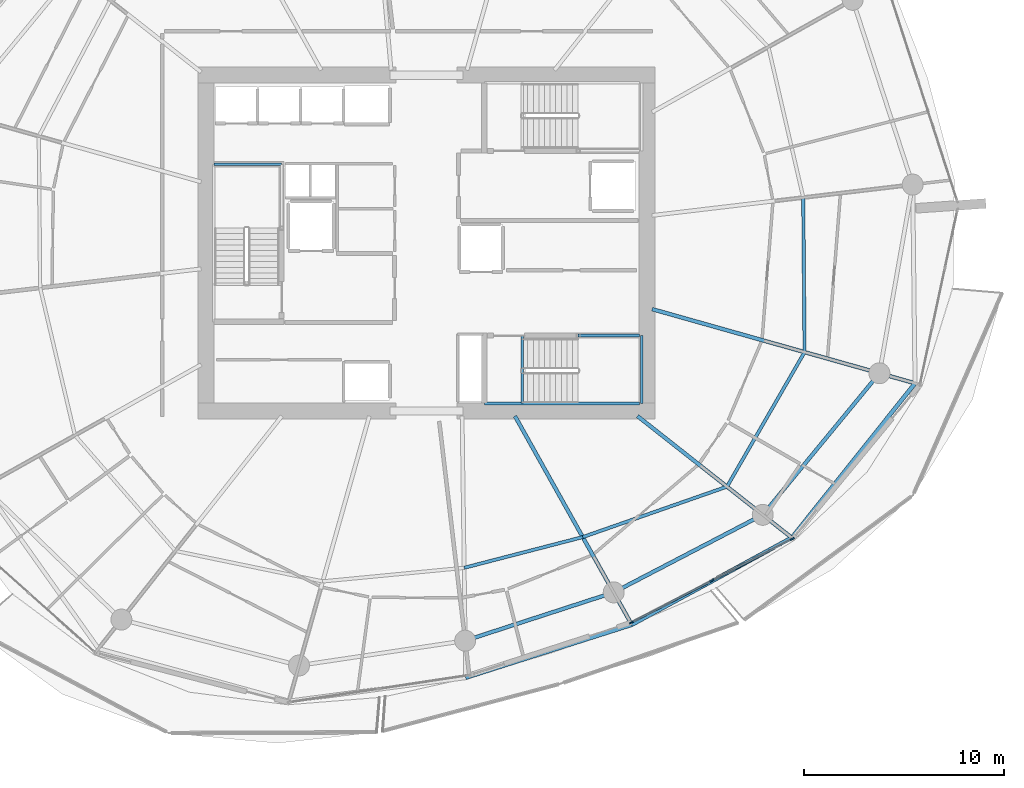
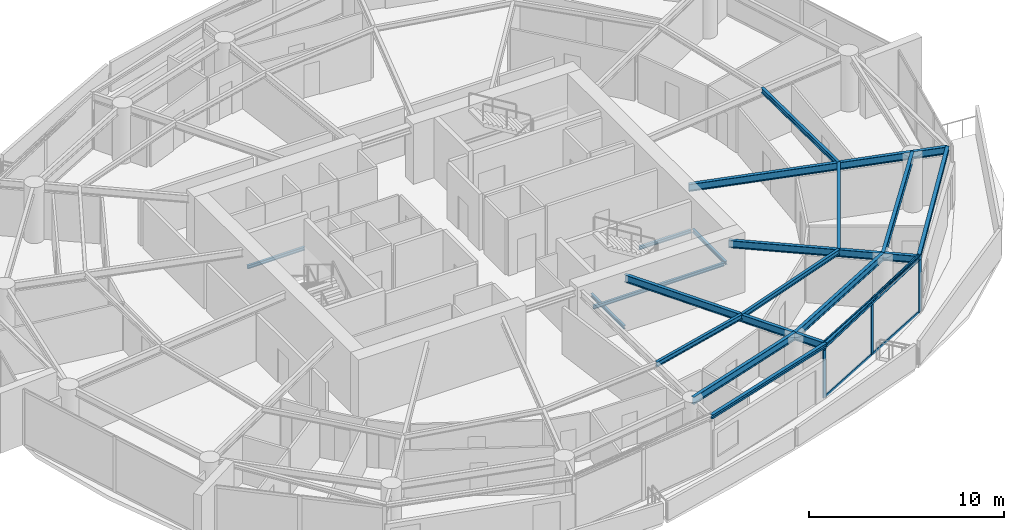
# One storey, part 6 of 20: 18 beams, 7 members, 1 element without a shape of its own.
"""IFC4 building model written with IfcOpenShell, lengths in metres."""

from ifc_helpers import new_model, si_unit, direction, frame, origin, origin_2d, place, context, subcontext, project, spatial, rectangle, i_section, extrude, material, layer, layer_set, material_profile, profile_set, type_object, element, aggregate, save


model = new_model("IFC4")

# Units and contexts
model_context = context("Model", 3, precision=1e-05, world=origin(), true_north=direction((0.0, 1.0)))
body_context = subcontext(model_context, "Body", "Model", "MODEL_VIEW")
ifc_project = project(units=[si_unit("LENGTHUNIT", "METRE"), si_unit("AREAUNIT", "SQUARE_METRE"), si_unit("VOLUMEUNIT", "CUBIC_METRE"), si_unit("PLANEANGLEUNIT", "RADIAN"), si_unit("MASSUNIT", "GRAM", prefix="KILO")], contexts=[model_context])

# Site, building, storey
site_placement = place(None, origin())
site = spatial("IfcSite", under=ifc_project, at=site_placement, CompositionType="ELEMENT")
building_placement = place(site_placement, origin())
building = spatial("IfcBuilding", under=site, at=building_placement, Name="Kazma Halo Residences", CompositionType="ELEMENT")
storey_placement = place(building_placement, frame((0.0, 0.0, 154.050048828125)))
storey = spatial("IfcBuildingStorey", under=building, at=storey_placement, Name="L38", CompositionType="ELEMENT", Elevation=154.050048828125)

# Beams
ifc_material_1 = material(Name="Steel S355", Category="steel")
ifc_material_profile_1 = material_profile(ifc_material_1, i_section(OverallWidth=0.201904296875, OverallDepth=0.2470703125, WebThickness=0.00732421875, FlangeThickness=0.010986328125, FilletRadius=0.011962890625, at=origin_2d()), Name="W250x49.1")
ifc_profile_set_1 = profile_set([ifc_material_profile_1], Name="Steel S355")
beam_type_1 = type_object("IfcBeamType", Name="BM-BAL-CANT", PredefinedType="BEAM", material=ifc_profile_set_1)
beam_1_placement = place(storey_placement, frame((50.37841796875, 20.269287109375, 3.37646484375), z_axis=(0.952724066304, 0.303836886315, 0.0), x_axis=(-0.303836886315, 0.952724066304, 0.0)))
element("IfcBeam", 1, at=beam_1_placement, inside=storey, type_object=beam_type_1, Name="L38 wave-balcony tie beam 12", PredefinedType="BEAM", context=body_context, shape_type="SweptSolid", body=[
    extrude(i_section(OverallWidth=0.201904296875, OverallDepth=0.2470703125, WebThickness=0.00732421875, FlangeThickness=0.010986328125, FilletRadius=0.011962890625, at=origin_2d()), origin(), (0.0, 0.0, 1.0), 8.719970703125),
])
beam_2_placement = place(storey_placement, frame((58.68603515625, 22.918701171875, 3.37646484375), z_axis=(0.878572913315, 0.477608245312, 0.0), x_axis=(-0.477608245312, 0.878572913315, 0.0)))
element("IfcBeam", 2, at=beam_2_placement, inside=storey, type_object=beam_type_1, Name="L38 wave-balcony tie beam 13", PredefinedType="BEAM", context=body_context, shape_type="SweptSolid", body=[
    extrude(i_section(OverallWidth=0.201904296875, OverallDepth=0.2470703125, WebThickness=0.00732421875, FlangeThickness=0.010986328125, FilletRadius=0.011962890625, at=origin_2d()), origin(), (0.0, 0.0, 1.0), 9.107177734375),
])
beam_3_placement = place(storey_placement, frame((66.687255859375, 27.268310546875, 3.37646484375), z_axis=(0.623742400336, 0.781629975131, 0.0), x_axis=(-0.781629975131, 0.623742400336, 0.0)))
element("IfcBeam", 3, at=beam_3_placement, inside=storey, type_object=beam_type_1, Name="L38 wave-balcony tie beam 14", PredefinedType="BEAM", context=body_context, shape_type="SweptSolid", body=[
    extrude(i_section(OverallWidth=0.201904296875, OverallDepth=0.2470703125, WebThickness=0.00732421875, FlangeThickness=0.010986328125, FilletRadius=0.011962890625, at=origin_2d()), origin(), (0.0, 0.0, 1.0), 9.880859375),
])
ifc_material_profile_2 = material_profile(ifc_material_1, i_section(OverallWidth=0.18994140625, OverallDepth=0.45703125, WebThickness=0.009033203125, FlangeThickness=0.014404296875, FilletRadius=0.01611328125, at=origin_2d()), Name="W460x74")
ifc_profile_set_2 = profile_set([ifc_material_profile_2], Name="Steel S355")
beam_type_2 = type_object("IfcBeamType", Name="BM-RAD-W460", PredefinedType="BEAM", material=ifc_profile_set_2)
beam_4_placement = place(storey_placement, frame((52.84423828125, 33.35009765625, 3.271484375), z_axis=(0.488617048735, -0.872498355119, 0.0), x_axis=(0.872498355119, 0.488617048735, 0.0)))
element("IfcBeam", 4, at=beam_4_placement, inside=storey, type_object=beam_type_2, Name="L38 radial floor beam 13", PredefinedType="BEAM", context=body_context, shape_type="SweptSolid", body=[
    extrude(i_section(OverallWidth=0.18994140625, OverallDepth=0.45703125, WebThickness=0.009033203125, FlangeThickness=0.014404296875, FilletRadius=0.01611328125, at=origin_2d()), origin(), (0.0, 0.0, 1.0), 11.955810546875),
])
beam_5_placement = place(storey_placement, frame((58.972412109375, 33.35009765625, 3.271484375), z_axis=(0.785322142498, -0.619087338347, 0.0), x_axis=(0.619087338347, 0.785322142498, 0.0)))
element("IfcBeam", 5, at=beam_5_placement, inside=storey, type_object=beam_type_2, Name="L38 radial floor beam 14", PredefinedType="BEAM", context=body_context, shape_type="SweptSolid", body=[
    extrude(i_section(OverallWidth=0.18994140625, OverallDepth=0.45703125, WebThickness=0.009033203125, FlangeThickness=0.014404296875, FilletRadius=0.01611328125, at=origin_2d()), origin(), (0.0, 0.0, 1.0), 9.82373046875),
])
beam_6_placement = place(storey_placement, frame((59.699951171875, 38.7001953125, 3.271484375), z_axis=(0.962456259321, -0.271436823024, 0.0), x_axis=(0.271436823024, 0.962456259321, 0.0)))
element("IfcBeam", 6, at=beam_6_placement, inside=storey, type_object=beam_type_2, Name="L38 radial floor beam 15", PredefinedType="BEAM", context=body_context, shape_type="SweptSolid", body=[
    extrude(i_section(OverallWidth=0.18994140625, OverallDepth=0.45703125, WebThickness=0.009033203125, FlangeThickness=0.014404296875, FilletRadius=0.01611328125, at=origin_2d()), origin(), (0.0, 0.0, 1.0), 13.663330078125),
])
ifc_material_profile_3 = material_profile(ifc_material_1, i_section(OverallWidth=0.1650390625, OverallDepth=0.31005859375, WebThickness=0.005859375, FlangeThickness=0.009765625, FilletRadius=0.011962890625, at=origin_2d()), Name="W310x38.7")
ifc_profile_set_3 = profile_set([ifc_material_profile_3], Name="Steel S355")
beam_type_3 = type_object("IfcBeamType", Name="BM-SEC-W310B", PredefinedType="JOIST", material=ifc_profile_set_3)
beam_7_placement = place(storey_placement, frame((50.303466796875, 25.76318359375, 3.344970703125), z_axis=(0.968017337658, 0.250883307524, 0.0), x_axis=(-0.250883307524, 0.968017337658, 0.0)))
element("IfcBeam", 7, at=beam_7_placement, inside=storey, type_object=beam_type_3, Name="L38 circumferential floor joist 12", PredefinedType="JOIST", context=body_context, shape_type="SweptSolid", body=[
    extrude(i_section(OverallWidth=0.1650390625, OverallDepth=0.31005859375, WebThickness=0.005859375, FlangeThickness=0.009765625, FilletRadius=0.011962890625, at=origin_2d()), origin(), (0.0, 0.0, 1.0), 6.124755859375),
])
beam_8_placement = place(storey_placement, frame((56.232421875, 27.2998046875, 3.344970703125), z_axis=(0.943956421223, 0.330070105935, 0.0), x_axis=(-0.330070105935, 0.943956421223, 0.0)))
element("IfcBeam", 8, at=beam_8_placement, inside=storey, type_object=beam_type_3, Name="L38 circumferential floor joist 13", PredefinedType="JOIST", context=body_context, shape_type="SweptSolid", body=[
    extrude(i_section(OverallWidth=0.1650390625, OverallDepth=0.31005859375, WebThickness=0.005859375, FlangeThickness=0.009765625, FilletRadius=0.011962890625, at=origin_2d()), origin(), (0.0, 0.0, 1.0), 7.642822265625),
])
beam_9_placement = place(storey_placement, frame((63.447021484375, 29.822509765625, 3.344970703125), z_axis=(0.499666203496, 0.866218035533, 0.0), x_axis=(-0.866218035533, 0.499666203496, 0.0)))
element("IfcBeam", 9, at=beam_9_placement, inside=storey, type_object=beam_type_3, Name="L38 circumferential floor joist 14", PredefinedType="JOIST", context=body_context, shape_type="SweptSolid", body=[
    extrude(i_section(OverallWidth=0.1650390625, OverallDepth=0.31005859375, WebThickness=0.005859375, FlangeThickness=0.009765625, FilletRadius=0.011962890625, at=origin_2d()), origin(), (0.0, 0.0, 1.0), 7.765380859375),
])
beam_10_placement = place(storey_placement, frame((67.3271484375, 36.549072265625, 3.344970703125), z_axis=(-0.008779348348, 0.999961460779, 0.0), x_axis=(-0.999961460779, -0.008779348348, 0.0)))
element("IfcBeam", 10, at=beam_10_placement, inside=storey, type_object=beam_type_3, Name="L38 circumferential floor joist 15", PredefinedType="JOIST", context=body_context, shape_type="SweptSolid", body=[
    extrude(i_section(OverallWidth=0.1650390625, OverallDepth=0.31005859375, WebThickness=0.005859375, FlangeThickness=0.009765625, FilletRadius=0.011962890625, at=origin_2d()), origin(), (0.0, 0.0, 1.0), 7.730712890625),
])
ifc_material_profile_4 = material_profile(ifc_material_1, i_section(OverallWidth=0.18994140625, OverallDepth=0.45703125, WebThickness=0.009033203125, FlangeThickness=0.014404296875, FilletRadius=0.01611328125, at=origin_2d()), Name="W460x74")
ifc_profile_set_4 = profile_set([ifc_material_profile_4], Name="Steel S355")
beam_type_4 = type_object("IfcBeamType", Name="BM-SPN-W460", PredefinedType="BEAM", material=ifc_profile_set_4)
beam_11_placement = place(storey_placement, frame((50.35302734375, 22.118896484375, 3.271484375), z_axis=(0.95105634578, 0.309017519167, 0.0), x_axis=(-0.309017519167, 0.95105634578, 0.0)))
element("IfcBeam", 11, at=beam_11_placement, inside=storey, type_object=beam_type_4, Name="L38 perimeter ring beam 12", PredefinedType="BEAM", context=body_context, shape_type="SweptSolid", body=[
    extrude(i_section(OverallWidth=0.18994140625, OverallDepth=0.45703125, WebThickness=0.009033203125, FlangeThickness=0.014404296875, FilletRadius=0.01611328125, at=origin_2d()), origin(), (0.0, 0.0, 1.0), 7.811279296875),
])
beam_12_placement = place(storey_placement, frame((57.781982421875, 24.53271484375, 3.271484375), z_axis=(0.886943099021, 0.461878706046, 0.0), x_axis=(-0.461878706046, 0.886943099021, 0.0)))
element("IfcBeam", 12, at=beam_12_placement, inside=storey, type_object=beam_type_4, Name="L38 perimeter ring beam 13", PredefinedType="BEAM", context=body_context, shape_type="SweptSolid", body=[
    extrude(i_section(OverallWidth=0.18994140625, OverallDepth=0.45703125, WebThickness=0.009033203125, FlangeThickness=0.014404296875, FilletRadius=0.01611328125, at=origin_2d()), origin(), (0.0, 0.0, 1.0), 8.40234375),
])
beam_13_placement = place(storey_placement, frame((65.234375, 28.41357421875, 3.271484375), z_axis=(0.636018723515, 0.771673624882, 0.0), x_axis=(-0.771673624882, 0.636018723515, 0.0)))
element("IfcBeam", 13, at=beam_13_placement, inside=storey, type_object=beam_type_4, Name="L38 perimeter ring beam 14", PredefinedType="BEAM", context=body_context, shape_type="SweptSolid", body=[
    extrude(i_section(OverallWidth=0.18994140625, OverallDepth=0.45703125, WebThickness=0.009033203125, FlangeThickness=0.014404296875, FilletRadius=0.01611328125, at=origin_2d()), origin(), (0.0, 0.0, 1.0), 9.175048828125),
])
ifc_material_profile_5 = material_profile(ifc_material_1, i_section(OverallWidth=0.133056640625, OverallDepth=0.20703125, WebThickness=0.005859375, FlangeThickness=0.00830078125, FilletRadius=0.010009765625, at=origin_2d()), Name="W200x26.6")
ifc_profile_set_5 = profile_set([ifc_material_profile_5], Name="Steel S355")
beam_type_5 = type_object("IfcBeamType", Name="BM-TRIM-W200", PredefinedType="BEAM", material=ifc_profile_set_5)
beam_14_placement = place(storey_placement, frame((53.199951171875, 34.0, -0.360107421875), z_axis=(0.0, 1.0, 0.0), x_axis=(-1.0, 0.0, 0.0)))
element("IfcBeam", 14, at=beam_14_placement, inside=storey, type_object=beam_type_5, Name="L38 ST-03 floor landing support beam", PredefinedType="BEAM", context=body_context, shape_type="SweptSolid", body=[
    extrude(i_section(OverallWidth=0.133056640625, OverallDepth=0.20703125, WebThickness=0.005859375, FlangeThickness=0.00830078125, FilletRadius=0.010009765625, at=origin_2d()), origin(), (0.0, 0.0, 1.0), 3.3798828125),
])
beam_15_placement = place(storey_placement, frame((37.780029296875, 45.93994140625, 1.570068359375), z_axis=(1.0, 0.0, 0.0), x_axis=(0.0, 1.0, 0.0)))
element("IfcBeam", 15, at=beam_15_placement, inside=storey, type_object=beam_type_5, Name="L38 ST-01 landing end wall ledger", PredefinedType="BEAM", context=body_context, shape_type="SweptSolid", body=[
    extrude(i_section(OverallWidth=0.133056640625, OverallDepth=0.20703125, WebThickness=0.005859375, FlangeThickness=0.00830078125, FilletRadius=0.010009765625, at=origin_2d()), origin(), (0.0, 0.0, 1.0), 3.39990234375),
])
beam_16_placement = place(storey_placement, frame((51.31005859375, 33.97998046875, 1.570068359375), z_axis=(1.0, 0.0, 0.0), x_axis=(0.0, 1.0, 0.0)))
element("IfcBeam", 16, at=beam_16_placement, inside=storey, type_object=beam_type_5, Name="L38 ST-03 landing south wall ledger", PredefinedType="BEAM", context=body_context, shape_type="SweptSolid", body=[
    extrude(i_section(OverallWidth=0.133056640625, OverallDepth=0.20703125, WebThickness=0.005859375, FlangeThickness=0.00830078125, FilletRadius=0.010009765625, at=origin_2d()), origin(), (0.0, 0.0, 1.0), 7.760009765625),
])
beam_17_placement = place(storey_placement, frame((56.0, 37.3798828125, 1.570068359375), z_axis=(1.0, 0.0, 0.0), x_axis=(0.0, 1.0, 0.0)))
element("IfcBeam", 17, at=beam_17_placement, inside=storey, type_object=beam_type_5, Name="L38 ST-03 landing north wall ledger", PredefinedType="BEAM", context=body_context, shape_type="SweptSolid", body=[
    extrude(i_section(OverallWidth=0.133056640625, OverallDepth=0.20703125, WebThickness=0.005859375, FlangeThickness=0.00830078125, FilletRadius=0.010009765625, at=origin_2d()), origin(), (0.0, 0.0, 1.0), 3.070068359375),
])
beam_18_placement = place(storey_placement, frame((59.18994140625, 33.97998046875, 1.570068359375), z_axis=(0.0, 1.0, 0.0), x_axis=(-1.0, 0.0, 0.0)))
element("IfcBeam", 18, at=beam_18_placement, inside=storey, type_object=beam_type_5, Name="L38 ST-03 landing end wall ledger", PredefinedType="BEAM", context=body_context, shape_type="SweptSolid", body=[
    extrude(i_section(OverallWidth=0.133056640625, OverallDepth=0.20703125, WebThickness=0.005859375, FlangeThickness=0.00830078125, FilletRadius=0.010009765625, at=origin_2d()), origin(), (0.0, 0.0, 1.0), 3.39990234375),
])

# Curtain wall, members
ifc_material_2 = material(Name="Aluminium AW-6063 T6 and Triple-Silver Low-E Glass", Category="aluminium")
ifc_layer = layer(ifc_material_2, 0.219970703125)
ifc_layer_set = layer_set([ifc_layer], Name="Aluminium AW-6063 T6 and Triple-Silver Low-E Glass")
curtain_wall_type = type_object("IfcCurtainWallType", Name="CW-SYS-4", PredefinedType="NOTDEFINED", material=ifc_layer_set)
curtain_wall_placement = place(storey_placement, origin())
curtain_wall = element("IfcCurtainWall", 19, at=curtain_wall_placement, inside=storey, type_object=curtain_wall_type, Name="L38 unitised curtain wall B13", PredefinedType="NOTDEFINED")
ifc_material_3 = material(Name="Aluminium AW-6063 T6", Category="aluminium")
ifc_material_profile_6 = material_profile(ifc_material_3, rectangle(XDim=0.074951171875, YDim=0.219970703125, at=origin_2d()), Name="CWM-75x220")
ifc_profile_set_6 = profile_set([ifc_material_profile_6], Name="Aluminium AW-6063 T6")
member_type_1 = type_object("IfcMemberType", Name="CW-SYS-4-MUL", PredefinedType="MULLION", material=ifc_profile_set_6)
member_1_placement = place(storey_placement, frame((58.66552734375, 23.0322265625, 0.0), z_axis=(0.0, 0.0, 1.0), x_axis=(-0.460837484552, 0.887484542306, 0.0)))
member_1 = element("IfcMember", 20, at=member_1_placement, type_object=member_type_1, Name="CWS-4 mullion 1", PredefinedType="MULLION", context=body_context, shape_type="SweptSolid", body=[
    extrude(rectangle(XDim=0.074951171875, YDim=0.219970703125, at=origin_2d()), origin(), (0.0, 0.0, 1.0), 3.5),
])
member_2_placement = place(storey_placement, frame((62.686767578125, 25.120361328125, 0.0), z_axis=(0.0, 0.0, 1.0), x_axis=(-0.460837484552, 0.887484542306, 0.0)))
member_2 = element("IfcMember", 21, at=member_2_placement, type_object=member_type_1, Name="CWS-4 mullion 2", PredefinedType="MULLION", context=body_context, shape_type="SweptSolid", body=[
    extrude(rectangle(XDim=0.074951171875, YDim=0.219970703125, at=origin_2d()), origin(), (0.0, 0.0, 1.0), 3.5),
])
member_3_placement = place(storey_placement, frame((66.7080078125, 27.208251953125, 0.0), z_axis=(0.0, 0.0, 1.0), x_axis=(-0.460837484552, 0.887484542306, 0.0)))
member_3 = element("IfcMember", 22, at=member_3_placement, type_object=member_type_1, Name="CWS-4 mullion 3", PredefinedType="MULLION", context=body_context, shape_type="SweptSolid", body=[
    extrude(rectangle(XDim=0.074951171875, YDim=0.219970703125, at=origin_2d()), origin(), (0.0, 0.0, 1.0), 3.5),
])
ifc_material_profile_7 = material_profile(ifc_material_3, rectangle(XDim=0.074951171875, YDim=0.1650390625, at=origin_2d()), Name="CWT-75x165")
ifc_profile_set_7 = profile_set([ifc_material_profile_7], Name="Aluminium AW-6063 T6")
member_type_2 = type_object("IfcMemberType", Name="CW-SYS-4-TRN", PredefinedType="USERDEFINED", material=ifc_profile_set_7)
member_4_placement = place(storey_placement, frame((58.69873046875, 23.049560546875, 0.037353515625), z_axis=(0.887484872803, 0.460836848077, 0.0), x_axis=(-0.460836848077, 0.887484872803, 0.0)))
member_4 = element("IfcMember", 23, at=member_4_placement, type_object=member_type_2, Name="CWS-4 transom 1.1", ObjectType="TRANSOM", PredefinedType="USERDEFINED", context=body_context, shape_type="SweptSolid", body=[
    extrude(rectangle(XDim=0.074951171875, YDim=0.1650390625, at=origin_2d()), origin(), (0.0, 0.0, 1.0), 4.4560546875),
])
member_5_placement = place(storey_placement, frame((58.69873046875, 23.049560546875, 3.46240234375), z_axis=(0.887484872803, 0.460836848077, 0.0), x_axis=(-0.460836848077, 0.887484872803, 0.0)))
member_5 = element("IfcMember", 24, at=member_5_placement, type_object=member_type_2, Name="CWS-4 transom 1.2", ObjectType="TRANSOM", PredefinedType="USERDEFINED", context=body_context, shape_type="SweptSolid", body=[
    extrude(rectangle(XDim=0.074951171875, YDim=0.1650390625, at=origin_2d()), origin(), (0.0, 0.0, 1.0), 4.4560546875),
])
member_6_placement = place(storey_placement, frame((62.719970703125, 25.137451171875, 0.037353515625), z_axis=(0.887484872803, 0.460836848077, 0.0), x_axis=(-0.460836848077, 0.887484872803, 0.0)))
member_6 = element("IfcMember", 25, at=member_6_placement, type_object=member_type_2, Name="CWS-4 transom 2.1", ObjectType="TRANSOM", PredefinedType="USERDEFINED", context=body_context, shape_type="SweptSolid", body=[
    extrude(rectangle(XDim=0.074951171875, YDim=0.1650390625, at=origin_2d()), origin(), (0.0, 0.0, 1.0), 4.4560546875),
])
member_7_placement = place(storey_placement, frame((62.719970703125, 25.137451171875, 3.46240234375), z_axis=(0.887484872803, 0.460836848077, 0.0), x_axis=(-0.460836848077, 0.887484872803, 0.0)))
member_7 = element("IfcMember", 26, at=member_7_placement, type_object=member_type_2, Name="CWS-4 transom 2.2", ObjectType="TRANSOM", PredefinedType="USERDEFINED", context=body_context, shape_type="SweptSolid", body=[
    extrude(rectangle(XDim=0.074951171875, YDim=0.1650390625, at=origin_2d()), origin(), (0.0, 0.0, 1.0), 4.4560546875),
])
aggregate(curtain_wall, [member_1, member_2, member_3, member_4, member_5, member_6, member_7])

save(model, "model.ifc")
